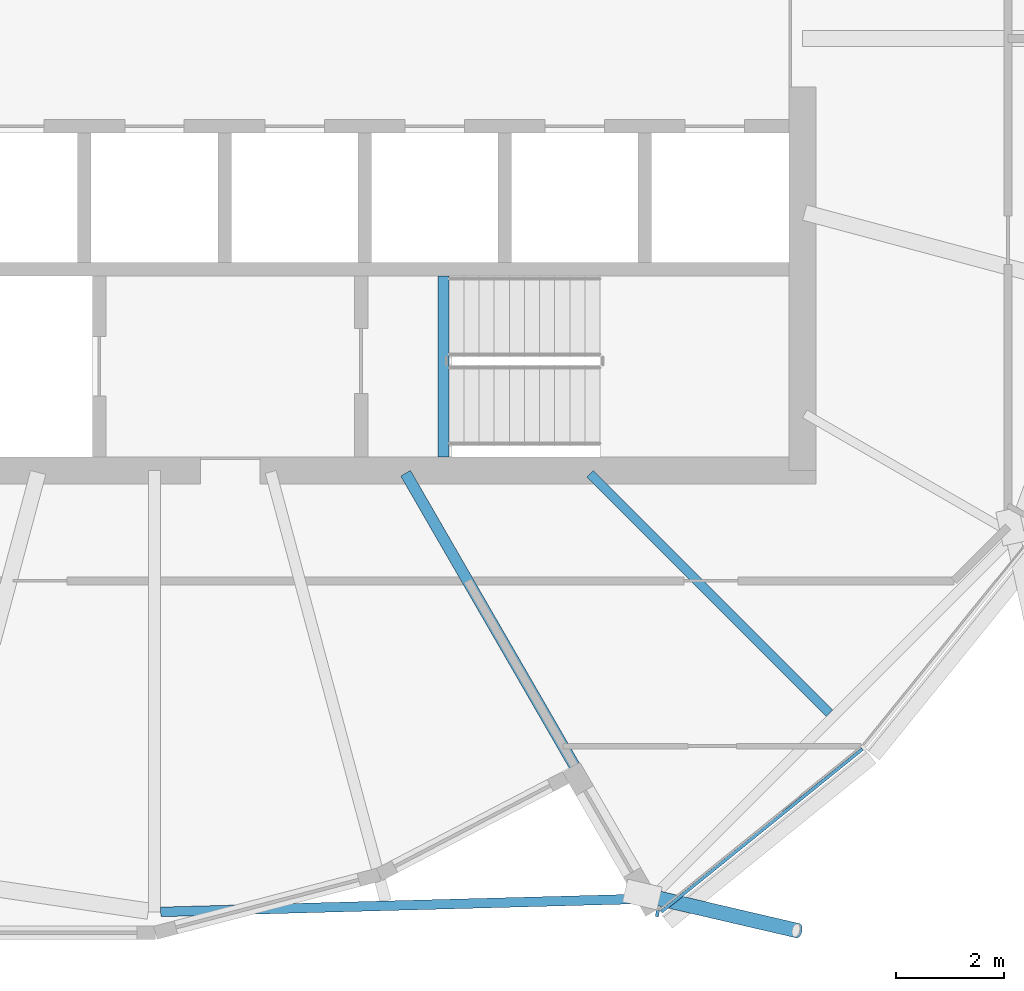
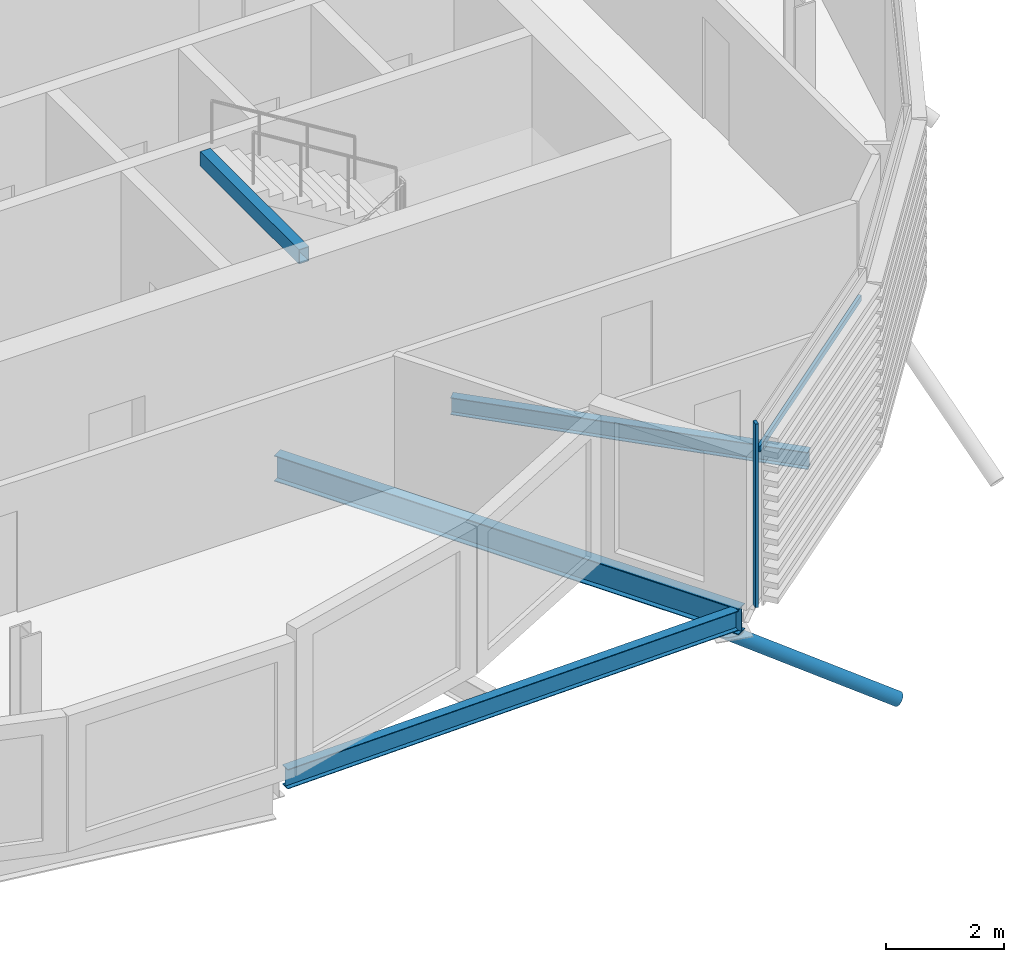
# One storey, part 11 of 35: 4 beams, 3 members, 1 element without a shape of its own.
"""IFC4 building model written with IfcOpenShell, lengths in metres."""

from ifc_helpers import new_model, si_unit, direction, frame, origin, origin_2d, place, context, subcontext, project, spatial, rectangle, hollow_rectangle, hollow_circle, i_section, extrude, clip, halfspace, material, material_profile, profile_set, type_object, element, aggregate, save


model = new_model("IFC4")

# Units and contexts
model_context = context("Model", 3, precision=1e-05, world=origin(), true_north=direction((0.0, 1.0)))
body_context = subcontext(model_context, "Body", "Model", "MODEL_VIEW")
ifc_project = project(units=[si_unit("LENGTHUNIT", "METRE"), si_unit("AREAUNIT", "SQUARE_METRE"), si_unit("VOLUMEUNIT", "CUBIC_METRE"), si_unit("PLANEANGLEUNIT", "RADIAN"), si_unit("MASSUNIT", "GRAM", prefix="KILO")], contexts=[model_context])

# Site, building, storey
site_placement = place(None, origin())
site = spatial("IfcSite", under=ifc_project, at=site_placement, CompositionType="ELEMENT")
building_placement = place(site_placement, origin())
building = spatial("IfcBuilding", under=site, at=building_placement, Name="Rimbun Link Towers", CompositionType="ELEMENT")
storey_placement = place(building_placement, frame((0.0, 0.0, 229.5)))
storey = spatial("IfcBuildingStorey", under=building, at=storey_placement, Name="L56", CompositionType="ELEMENT", Elevation=229.5)

# Curtain wall, members
ifc_material_1 = material(Name="Aluminium 6063-T6 and low-iron glass", Category="aluminium")
curtain_wall_type = type_object("IfcCurtainWallType", Name="CW1-Z4 unitised vision wall (zone 4)", PredefinedType="NOTDEFINED", material=ifc_material_1)
curtain_wall_placement = place(storey_placement, origin())
curtain_wall = element("IfcCurtainWall", 1, at=curtain_wall_placement, inside=storey, type_object=curtain_wall_type, Name="CW1 L56 T2", PredefinedType="NOTDEFINED")
ifc_material_2 = material(Name="Aluminium 6063-T6", Category="aluminium")
ifc_material_profile_1 = material_profile(ifc_material_2, rectangle(XDim=0.1201171875, YDim=0.06005859375, at=origin_2d()), Name="MULLION 60X120")
ifc_profile_set_1 = profile_set([ifc_material_profile_1], Name="Aluminium 6063-T6")
member_type_1 = type_object("IfcMemberType", Name="CW1 mullion 60X120", PredefinedType="MULLION", material=ifc_profile_set_1)
member_1_placement = place(storey_placement, frame((41.062744140625, -16.2080078125, 0.0), z_axis=(0.0, 0.0, 1.0), x_axis=(-0.182338481559, -0.983235820209, 0.0)))
member_1 = element("IfcMember", 2, at=member_1_placement, type_object=member_type_1, Name="CW1 mullion", PredefinedType="MULLION", context=body_context, shape_type="SweptSolid", body=[
    extrude(rectangle(XDim=0.1201171875, YDim=0.06005859375, at=origin_2d()), origin(), (0.0, 0.0, 1.0), 3.800048828125),
])
ifc_material_3 = material(Name="Aluminium 6063-T6", Category="aluminium")
ifc_material_profile_2 = material_profile(ifc_material_3, rectangle(XDim=0.06005859375, YDim=0.1201171875, at=origin_2d()), Name="TRANSOM 60X120")
ifc_profile_set_2 = profile_set([ifc_material_profile_2], Name="Aluminium 6063-T6")
member_type_2 = type_object("IfcMemberType", Name="CW1 transom 60X120", PredefinedType="USERDEFINED", material=ifc_profile_set_2)
member_2_placement = place(storey_placement, frame((44.85888671875, -13.15966796875, 3.199951171875), z_axis=(-0.777257918957, -0.6291821099, 0.0), x_axis=(0.6291821099, -0.777257918957, 0.0)))
member_2 = element("IfcMember", 3, at=member_2_placement, type_object=member_type_2, Name="CW1 transom", ObjectType="TRANSOM", PredefinedType="USERDEFINED", context=body_context, shape_type="SweptSolid", body=[
    extrude(rectangle(XDim=0.06005859375, YDim=0.1201171875, at=origin_2d()), origin(), (0.0, 0.0, 1.0), 4.79296875),
])
aggregate(curtain_wall, [member_1, member_2])

# Member
ifc_material_4 = material(Name="Steel S355J2H", Category="steel")
ifc_material_profile_3 = material_profile(ifc_material_4, hollow_circle(Radius=0.136474609375, WallThickness=0.012451171875, at=origin_2d()), Name="CHS 273x12.5")
ifc_profile_set_3 = profile_set([ifc_material_profile_3], Name="Steel S355J2H")
member_type_3 = type_object("IfcMemberType", Name="Floor edge link CHS 273x12.5", PredefinedType="BRACE", material=ifc_profile_set_3)
member_3_placement = place(storey_placement, frame((40.922119140625, -15.88671875, -0.787109375), z_axis=(0.812380329601, -0.1891022398, -0.551614487645), x_axis=(0.226714331224, 0.973961299035, 0.0)))
element("IfcMember", 4, at=member_3_placement, inside=storey, type_object=member_type_3, Name="Floor edge link T2 L56 17", PredefinedType="BRACE", context=body_context, shape_type="Clipping", body=[
    clip(extrude(hollow_circle(Radius=0.136474609375, WallThickness=0.012451171875, at=origin_2d()), frame((0.0, 0.0, -0.430908203125)), (0.0, 0.0, 1.0), 3.806884765625), halfspace(frame((0.0, 0.0, -0.203125), z_axis=(0.0, 0.834099188958, -0.551614487645)), False)),
])

# Beams
ifc_material_5 = material(Name="Steel S355J2", Category="steel")
ifc_material_profile_4 = material_profile(ifc_material_5, hollow_rectangle(XDim=0.199951171875, YDim=0.300048828125, WallThickness=0.011962890625, at=origin_2d()), Name="BOX 300x200x12")
ifc_profile_set_4 = profile_set([ifc_material_profile_4], Name="Steel S355J2")
beam_type_1 = type_object("IfcBeamType", Name="Stair trimmer beam BOX 300x200x12", PredefinedType="BEAM", material=ifc_profile_set_4)
beam_1_placement = place(storey_placement, frame((37.10009765625, -7.75, 3.510009765625), z_axis=(0.0, 1.0, 0.0), x_axis=(-1.0, 0.0, 0.0)))
element("IfcBeam", 5, at=beam_1_placement, inside=storey, type_object=beam_type_1, Name="L56 ST4 stair beam 1", PredefinedType="BEAM", context=body_context, shape_type="SweptSolid", body=[
    extrude(hollow_rectangle(XDim=0.199951171875, YDim=0.300048828125, WallThickness=0.011962890625, at=origin_2d()), origin(), (0.0, 0.0, 1.0), 3.35009765625),
])
ifc_material_6 = material(Name="Steel S355J2", Category="steel")
ifc_material_profile_5 = material_profile(ifc_material_6, i_section(OverallWidth=0.17138671875, OverallDepth=0.35498046875, WebThickness=0.00732421875, FlangeThickness=0.011474609375, at=origin_2d()), Name="UB 356x171x51")
ifc_profile_set_5 = profile_set([ifc_material_profile_5], Name="Steel S355J2")
beam_type_2 = type_object("IfcBeamType", Name="UB 356x171x51", PredefinedType="BEAM", material=ifc_profile_set_5)
beam_2_placement = place(storey_placement, frame((39.811279296875, -8.061279296875, -0.3173828125), z_axis=(0.707106781187, -0.707106781187, 0.0), x_axis=(0.707106781187, 0.707106781187, 0.0)))
element("IfcBeam", 6, at=beam_2_placement, inside=storey, type_object=beam_type_2, Name="Radial beam T2 L56 18", PredefinedType="BEAM", context=body_context, shape_type="SweptSolid", body=[
    extrude(i_section(OverallWidth=0.17138671875, OverallDepth=0.35498046875, WebThickness=0.00732421875, FlangeThickness=0.011474609375, at=origin_2d()), origin(), (0.0, 0.0, 1.0), 6.27734375),
])
ifc_material_7 = material(Name="Steel S355J2", Category="steel")
ifc_material_profile_6 = material_profile(ifc_material_7, i_section(OverallWidth=0.177978515625, OverallDepth=0.406494140625, WebThickness=0.0078125, FlangeThickness=0.0126953125, at=origin_2d()), Name="UB 406x178x60")
ifc_profile_set_6 = profile_set([ifc_material_profile_6], Name="Steel S355J2")
beam_type_3 = type_object("IfcBeamType", Name="UB 406x178x60", PredefinedType="BEAM", material=ifc_profile_set_6)
beam_3_placement = place(storey_placement, frame((31.86474609375, -16.17578125, -0.34326171875), z_axis=(0.999633617032, 0.027067170126, 0.0), x_axis=(-0.027067170126, 0.999633617032, 0.0)))
element("IfcBeam", 7, at=beam_3_placement, inside=storey, type_object=beam_type_3, Name="Edge beam T2 L56 15-17", PredefinedType="BEAM", context=body_context, shape_type="SweptSolid", body=[
    extrude(i_section(OverallWidth=0.177978515625, OverallDepth=0.406494140625, WebThickness=0.0078125, FlangeThickness=0.0126953125, at=origin_2d()), origin(), (0.0, 0.0, 1.0), 8.965576171875),
])
ifc_material_8 = material(Name="Steel S355J2", Category="steel")
ifc_material_profile_7 = material_profile(ifc_material_8, i_section(OverallWidth=0.209228515625, OverallDepth=0.533203125, WebThickness=0.010009765625, FlangeThickness=0.015625, at=origin_2d()), Name="UB 533x210x92")
ifc_profile_set_7 = profile_set([ifc_material_profile_7], Name="Steel S355J2")
beam_type_4 = type_object("IfcBeamType", Name="UB 533x210x92", PredefinedType="BEAM", material=ifc_profile_set_7)
beam_4_placement = place(storey_placement, frame((36.3994140625, -8.05322265625, -0.406494140625), z_axis=(0.499998958472, -0.86602600511, 0.0), x_axis=(0.86602600511, 0.499998958472, 0.0)))
element("IfcBeam", 8, at=beam_4_placement, inside=storey, type_object=beam_type_4, Name="Radial beam T2 L56 17", PredefinedType="BEAM", context=body_context, shape_type="SweptSolid", body=[
    extrude(i_section(OverallWidth=0.209228515625, OverallDepth=0.533203125, WebThickness=0.010009765625, FlangeThickness=0.015625, at=origin_2d()), origin(), (0.0, 0.0, 1.0), 9.09521484375),
])

save(model, "model.ifc")
